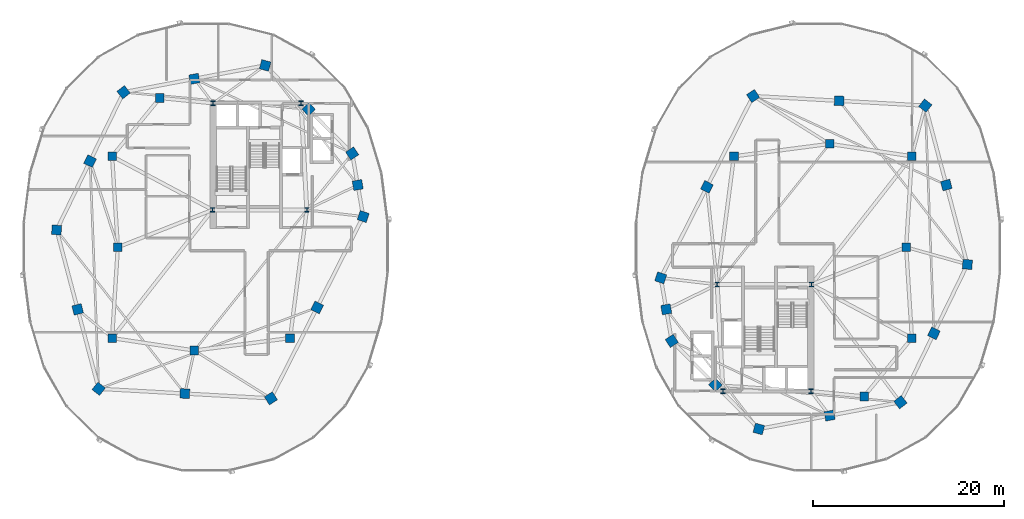
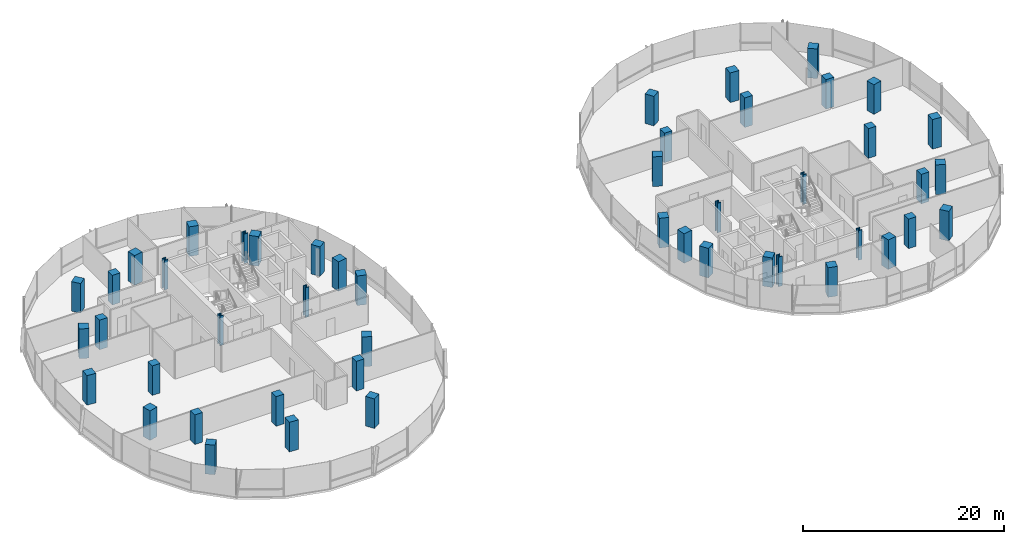
# One storey, part 1 of 22: 48 columns.
"""IFC4 building model written with IfcOpenShell, lengths in metres."""

from ifc_helpers import new_model, si_unit, direction, frame, origin, origin_2d, place, context, subcontext, project, spatial, rectangle, i_section, extrude, material, material_profile, profile_set, type_object, element, save


model = new_model("IFC4")

# Units and contexts
model_context = context("Model", 3, precision=1e-05, world=origin(), true_north=direction((0.0, 1.0)))
body_context = subcontext(model_context, "Body", "Model", "MODEL_VIEW")
ifc_project = project(units=[si_unit("LENGTHUNIT", "METRE"), si_unit("AREAUNIT", "SQUARE_METRE"), si_unit("VOLUMEUNIT", "CUBIC_METRE"), si_unit("PLANEANGLEUNIT", "RADIAN"), si_unit("MASSUNIT", "GRAM", prefix="KILO"), si_unit("THERMODYNAMICTEMPERATUREUNIT", "KELVIN"), si_unit("POWERUNIT", "WATT")], contexts=[model_context])

# Site, building, storey
site_placement = place(None, origin())
site = spatial("IfcSite", under=ifc_project, at=site_placement, CompositionType="ELEMENT")
building_placement = place(site_placement, origin())
building = spatial("IfcBuilding", under=site, at=building_placement, Name="Cundina Bronze Exchange", CompositionType="ELEMENT")
storey_placement = place(building_placement, frame((0.0, 0.0, 165.60009765625)))
storey = spatial("IfcBuildingStorey", under=building, at=storey_placement, Name="L43", CompositionType="ELEMENT", Elevation=165.60009765625)

# Columns
ifc_material_1 = material(Name="Steel ASTM A992 Grade 50", Category="steel")
ifc_material_profile_1 = material_profile(ifc_material_1, i_section(OverallWidth=0.431884765625, OverallDepth=0.498046875, WebThickness=0.0556640625, FlangeThickness=0.0888671875, FilletRadius=0.01806640625, at=origin_2d()), Name="W14X500", Category="steel")
ifc_profile_set_1 = profile_set([ifc_material_profile_1], Name="Steel ASTM A992 Grade 50")
column_type_1 = type_object("IfcColumnType", Name="COL-STL-W14A", PredefinedType="COLUMN", material=ifc_profile_set_1)
for number, where, z_axis, x_axis, name in (
    (1, (-31.300048828125, 3.89990234375, 0.0), (0.0, 0.0, 1.0), (1.0, 0.0, 0.0), "L43 Core Anchor Column W1"),
    (2, (-21.449951171875, 3.89990234375, 0.0), (0.0, 0.0, 1.0), (1.0, 0.0, 0.0), "L43 Core Anchor Column W2"),
    (3, (-22.050048828125, 15.050048828125, 0.0), (0.0, 0.0, 1.0), (1.0, 0.0, 0.0), "L43 Core Anchor Column W3"),
    (4, (-31.25, 15.050048828125, 0.0), (0.0, 0.0, 1.0), (1.0, 0.0, 0.0), "L43 Core Anchor Column W4"),
    (5, (31.300048828125, -3.89990234375, 0.0), (0.0, 0.0, 1.0), (1.0, 0.0, 0.0), "L43 Core Anchor Column E1"),
    (6, (21.449951171875, -3.89990234375, 0.0), (0.0, 0.0, 1.0), (1.0, 0.0, 0.0), "L43 Core Anchor Column E2"),
    (7, (22.050048828125, -15.050048828125, 0.0), (0.0, 0.0, 1.0), (1.0, 0.0, 0.0), "L43 Core Anchor Column E3"),
    (8, (31.25, -15.050048828125, 0.0), (0.0, 0.0, 1.0), (1.0, 0.0, 0.0), "L43 Core Anchor Column E4"),
):
    element("IfcColumn", number, at=place(storey_placement, frame(where, z_axis=z_axis, x_axis=x_axis)), inside=storey, type_object=column_type_1, Name=name, PredefinedType="COLUMN", context=body_context, shape_type="SweptSolid", body=[
        extrude(i_section(OverallWidth=0.431884765625, OverallDepth=0.498046875, WebThickness=0.0556640625, FlangeThickness=0.0888671875, FilletRadius=0.01806640625, at=origin_2d()), origin(), (0.0, 0.0, 1.0), 3.599853515625),
    ])
ifc_material_2 = material(Name="Concrete C50/60", Category="concrete")
ifc_material_profile_2 = material_profile(ifc_material_2, rectangle(XDim=1.0, YDim=1.0, at=origin_2d()), Name="RC1000X1000", Category="concrete")
ifc_profile_set_2 = profile_set([ifc_material_profile_2], Name="Concrete C50/60")
column_type_2 = type_object("IfcColumnType", Name="COL-Z3-1000", PredefinedType="COLUMN", material=ifc_profile_set_2)
for number, where, z_axis, x_axis, name in (
    (9, (-15.550048828125, 3.199951171875, 0.0), (0.0, 0.0, 1.0), (0.315152163383, 0.949041155016, 0.0), "L43 W Perimeter Column 00"),
    (10, (-16.125, 6.5, 0.0), (0.0, 0.0, 1.0), (-0.171585221787, 0.985169280715, 0.0), "L43 W Perimeter Column 01"),
    (11, (-16.699951171875, 9.800048828125, 0.0), (0.0, 0.0, 1.0), (-0.544199833495, 0.838955625301, 0.0), "L43 W Perimeter Column 02"),
    (12, (-21.25, 14.39990234375, 0.0), (0.0, 0.0, 1.0), (-0.703270634186, 0.710922228581, 0.0), "L43 W Perimeter Column 03"),
    (13, (-25.800048828125, 19.0, 0.0), (0.0, 0.0, 1.0), (-0.965970984022, 0.258650455301, 0.0), "L43 W Perimeter Column 04"),
    (14, (-33.199951171875, 17.60009765625, 0.0), (0.0, 0.0, 1.0), (-0.98258037664, -0.185838110843, 0.0), "L43 W Perimeter Column 05"),
    (15, (-40.60009765625, 16.199951171875, 0.0), (0.0, 0.0, 1.0), (-0.785100778485, -0.619368038909, 0.0), "L43 W Perimeter Column 06"),
    (16, (-44.10009765625, 9.0, 0.0), (0.0, 0.0, 1.0), (-0.437115766651, -0.899405251566, 0.0), "L43 W Perimeter Column 07"),
    (17, (-47.60009765625, 1.800048828125, 0.0), (0.0, 0.0, 1.0), (-0.083503921245, -0.996507448611, 0.0), "L43 W Perimeter Column 08"),
    (18, (-45.39990234375, -6.5, 0.0), (0.0, 0.0, 1.0), (0.256289373133, -0.966600102017, 0.0), "L43 W Perimeter Column 09"),
    (19, (-43.199951171875, -14.800048828125, 0.0), (0.0, 0.0, 1.0), (0.786288432137, -0.61785961309, 0.0), "L43 W Perimeter Column 10"),
    (20, (-34.199951171875, -15.300048828125, 0.0), (0.0, 0.0, 1.0), (0.998460188734, -0.055472980025, 0.0), "L43 W Perimeter Column 11"),
    (21, (-25.199951171875, -15.800048828125, 0.0), (0.0, 0.0, 1.0), (0.838099763533, 0.545516989988, 0.0), "L43 W Perimeter Column 12"),
    (22, (-20.375, -6.300048828125, 0.0), (0.0, 0.0, 1.0), (0.452901591366, 0.891560513111, 0.0), "L43 W Perimeter Column 13"),
    (23, (15.550048828125, -3.199951171875, 0.0), (0.0, 0.0, 1.0), (-0.315152163383, -0.949041155016, 0.0), "L43 E Perimeter Column 00"),
    (24, (16.125, -6.5, 0.0), (0.0, 0.0, 1.0), (0.171585221787, -0.985169280715, 0.0), "L43 E Perimeter Column 01"),
    (25, (16.699951171875, -9.800048828125, 0.0), (0.0, 0.0, 1.0), (0.544199833495, -0.838955625301, 0.0), "L43 E Perimeter Column 02"),
    (26, (21.25, -14.39990234375, 0.0), (0.0, 0.0, 1.0), (0.703270634186, -0.710922228581, 0.0), "L43 E Perimeter Column 03"),
    (27, (25.800048828125, -19.0, 0.0), (0.0, 0.0, 1.0), (0.965970984022, -0.258650455301, 0.0), "L43 E Perimeter Column 04"),
    (28, (33.199951171875, -17.60009765625, 0.0), (0.0, 0.0, 1.0), (0.98258037664, 0.185838110843, 0.0), "L43 E Perimeter Column 05"),
    (29, (40.60009765625, -16.199951171875, 0.0), (0.0, 0.0, 1.0), (0.785100778485, 0.619368038909, 0.0), "L43 E Perimeter Column 06"),
    (30, (44.10009765625, -9.0, 0.0), (0.0, 0.0, 1.0), (0.437115766651, 0.899405251566, 0.0), "L43 E Perimeter Column 07"),
    (31, (47.60009765625, -1.800048828125, 0.0), (0.0, 0.0, 1.0), (0.083503921245, 0.996507448611, 0.0), "L43 E Perimeter Column 08"),
    (32, (45.39990234375, 6.5, 0.0), (0.0, 0.0, 1.0), (-0.256289373133, 0.966600102017, 0.0), "L43 E Perimeter Column 09"),
    (33, (43.199951171875, 14.800048828125, 0.0), (0.0, 0.0, 1.0), (-0.786288432137, 0.61785961309, 0.0), "L43 E Perimeter Column 10"),
    (34, (34.199951171875, 15.300048828125, 0.0), (0.0, 0.0, 1.0), (-0.998460188734, 0.055472980025, 0.0), "L43 E Perimeter Column 11"),
    (35, (25.199951171875, 15.800048828125, 0.0), (0.0, 0.0, 1.0), (-0.838099763533, -0.545516989988, 0.0), "L43 E Perimeter Column 12"),
    (36, (20.375, 6.300048828125, 0.0), (0.0, 0.0, 1.0), (-0.452901591366, -0.891560513111, 0.0), "L43 E Perimeter Column 13"),
):
    element("IfcColumn", number, at=place(storey_placement, frame(where, z_axis=z_axis, x_axis=x_axis)), inside=storey, type_object=column_type_2, Name=name, PredefinedType="COLUMN", context=body_context, shape_type="SweptSolid", body=[
        extrude(rectangle(XDim=1.0, YDim=1.0, at=origin_2d()), origin(), (0.0, 0.0, 1.0), 3.599853515625),
    ])
ifc_material_profile_3 = material_profile(ifc_material_2, rectangle(XDim=0.89990234375, YDim=0.89990234375, at=origin_2d()), Name="RC900X900", Category="concrete")
ifc_profile_set_3 = profile_set([ifc_material_profile_3], Name="Concrete C50/60")
column_type_3 = type_object("IfcColumnType", Name="COL-Z4-900", PredefinedType="COLUMN", material=ifc_profile_set_3)
for number, where, z_axis, x_axis, name in (
    (37, (-41.199951171875, 0.0, 0.0), (0.0, 0.0, 1.0), (1.0, 0.0, 0.0), "L43 W Inner Ring Column 1"),
    (38, (-41.800048828125, 9.5, 0.0), (0.0, 0.0, 1.0), (1.0, 0.0, 0.0), "L43 W Inner Ring Column 2"),
    (39, (-36.800048828125, 15.60009765625, 0.0), (0.0, 0.0, 1.0), (1.0, 0.0, 0.0), "L43 W Inner Ring Column 3"),
    (40, (-41.800048828125, -9.5, 0.0), (0.0, 0.0, 1.0), (1.0, 0.0, 0.0), "L43 W Inner Ring Column 4"),
    (41, (-33.199951171875, -10.800048828125, 0.0), (0.0, 0.0, 1.0), (1.0, 0.0, 0.0), "L43 W Inner Ring Column 5"),
    (42, (-23.199951171875, -9.5, 0.0), (0.0, 0.0, 1.0), (1.0, 0.0, 0.0), "L43 W Inner Ring Column 6"),
    (43, (41.199951171875, 0.0, 0.0), (0.0, 0.0, 1.0), (1.0, 0.0, 0.0), "L43 E Inner Ring Column 1"),
    (44, (41.800048828125, -9.5, 0.0), (0.0, 0.0, 1.0), (1.0, 0.0, 0.0), "L43 E Inner Ring Column 2"),
    (45, (36.800048828125, -15.60009765625, 0.0), (0.0, 0.0, 1.0), (1.0, 0.0, 0.0), "L43 E Inner Ring Column 3"),
    (46, (41.800048828125, 9.5, 0.0), (0.0, 0.0, 1.0), (1.0, 0.0, 0.0), "L43 E Inner Ring Column 4"),
    (47, (33.199951171875, 10.800048828125, 0.0), (0.0, 0.0, 1.0), (1.0, 0.0, 0.0), "L43 E Inner Ring Column 5"),
    (48, (23.199951171875, 9.5, 0.0), (0.0, 0.0, 1.0), (1.0, 0.0, 0.0), "L43 E Inner Ring Column 6"),
):
    element("IfcColumn", number, at=place(storey_placement, frame(where, z_axis=z_axis, x_axis=x_axis)), inside=storey, type_object=column_type_3, Name=name, PredefinedType="COLUMN", context=body_context, shape_type="SweptSolid", body=[
        extrude(rectangle(XDim=0.89990234375, YDim=0.89990234375, at=origin_2d()), origin(), (0.0, 0.0, 1.0), 3.599853515625),
    ])

save(model, "model.ifc")
